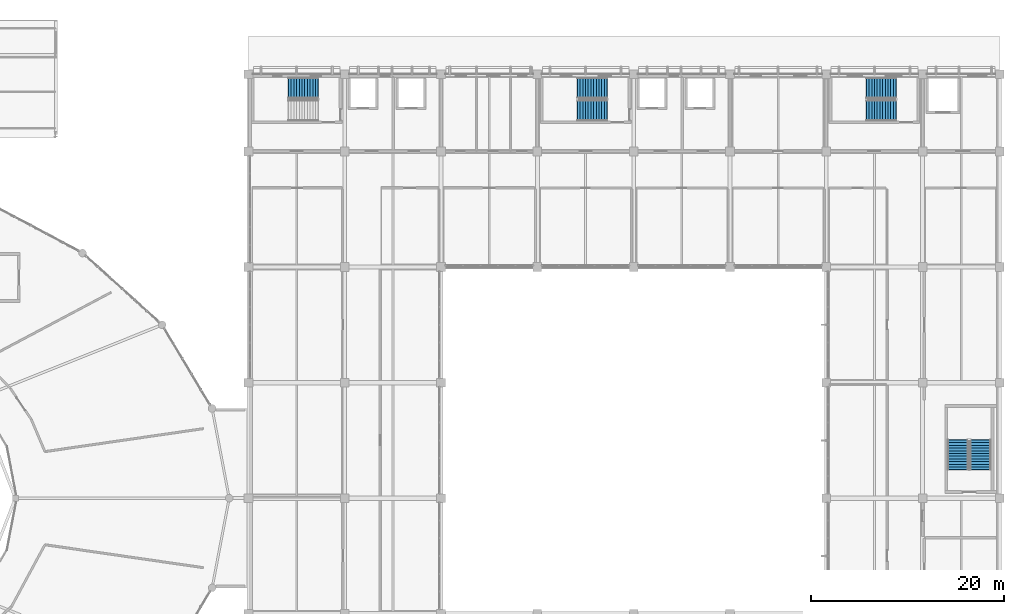
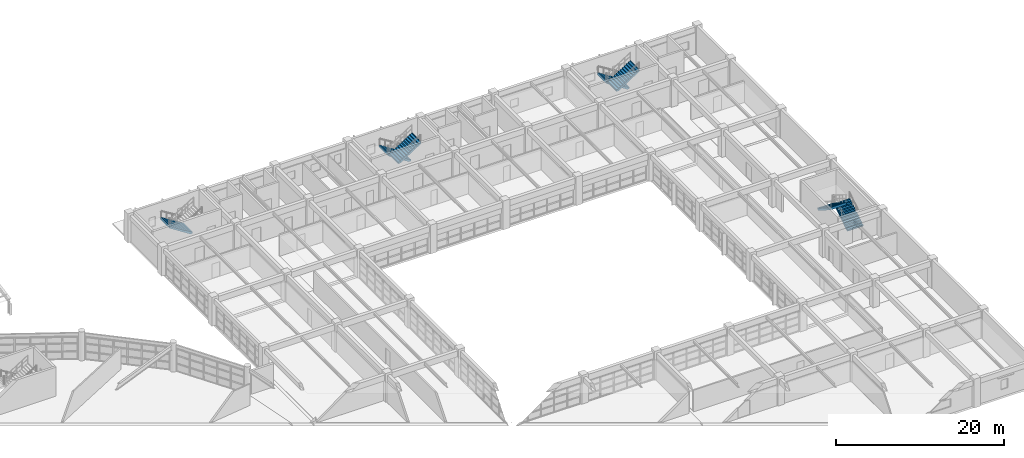
# One storey, part 86 of 100: 7 stair flights, 4 elements without a shape of their own.
"""IFC4 building model written with IfcOpenShell, lengths in metres."""

from ifc_helpers import new_model, si_unit, direction, frame, origin, place, context, subcontext, project, spatial, polyline, outline, extrude, material, type_object, element, aggregate, save


model = new_model("IFC4")

# Units and contexts
model_context = context("Model", 3, precision=1e-05, world=origin(), true_north=direction((0.0, 1.0)))
body_context = subcontext(model_context, "Body", "Model", "MODEL_VIEW")
ifc_project = project(units=[si_unit("LENGTHUNIT", "METRE"), si_unit("AREAUNIT", "SQUARE_METRE"), si_unit("VOLUMEUNIT", "CUBIC_METRE"), si_unit("PLANEANGLEUNIT", "RADIAN"), si_unit("MASSUNIT", "GRAM", prefix="KILO")], contexts=[model_context])

# Site, building, storey
site_placement = place(None, origin())
site = spatial("IfcSite", under=ifc_project, at=site_placement, CompositionType="ELEMENT")
building_placement = place(site_placement, origin())
building = spatial("IfcBuilding", under=site, at=building_placement, Name="Kivolera Central Railway Station", CompositionType="ELEMENT")
storey_placement = place(building_placement, frame((0.0, 0.0, 5.39990234375)))
storey = spatial("IfcBuildingStorey", under=building, at=storey_placement, Name="L01", CompositionType="ELEMENT", Elevation=5.39990234375)

# Stair, stair flight
ifc_material = material(Name="Concrete C40/50", Category="concrete")
stair_type = type_object("IfcStairType", Name="STR-2160-24", PredefinedType="HALF_TURN_STAIR", material=ifc_material)
stair_1_placement = place(storey_placement, origin())
stair_1 = element("IfcStair", 1, at=stair_1_placement, inside=storey, type_object=stair_type, Name="L01 Protected Exit Stair ST1", PredefinedType="HALF_TURN_STAIR")
stair_flight_type = type_object("IfcStairFlightType", Name="SFL-2160-24", PredefinedType="STRAIGHT", material=ifc_material)
stair_flight_1_placement = place(storey_placement, frame((125.239990234375, 132.60009765625, 0.0), z_axis=(0.0, 0.0, 1.0), x_axis=(-1.0, 0.0, 0.0)))
stair_flight_1 = element("IfcStairFlight", 2, at=stair_flight_1_placement, type_object=stair_flight_type, Name="ST1 flight 1", NumberOfRisers=12, NumberOfTreads=11, PredefinedType="STRAIGHT", RiserHeight=0.175, TreadLength=0.28, context=body_context, shape_type="SweptSolid", body=[
    extrude(outline(polyline([(-0.0400390625, 0.0), (0.0, 0.0), (0.0, 0.175048828125), (0.280029296875, 0.175048828125), (0.280029296875, 0.35009765625), (0.56005859375, 0.35009765625), (0.56005859375, 0.52490234375), (0.840087890625, 0.52490234375), (0.840087890625, 0.699951171875), (1.1201171875, 0.699951171875), (1.1201171875, 0.875), (1.39990234375, 0.875), (1.39990234375, 1.050048828125), (1.679931640625, 1.050048828125), (1.679931640625, 1.22509765625), (1.9599609375, 1.22509765625), (1.9599609375, 1.39990234375), (2.239990234375, 1.39990234375), (2.239990234375, 1.574951171875), (2.52001953125, 1.574951171875), (2.52001953125, 1.75), (2.800048828125, 1.75), (2.800048828125, 1.925048828125), (3.080078125, 1.925048828125), (3.080078125, 2.10009765625), (3.1201171875, 2.10009765625), (3.1201171875, 2.064697265625), (3.1201171875, 2.029541015625), (3.1201171875, 1.994384765625), (3.1201171875, 1.959228515625), (3.1201171875, 1.924072265625), (3.1201171875, 1.888916015625), (3.1201171875, 1.853759765625), (3.1201171875, 1.818603515625), (3.1201171875, 1.783447265625), (3.1201171875, 1.748291015625), (0.28271484375, -0.080078125), (-0.0400390625, -0.072021484375), (-0.0400390625, -0.06396484375), (-0.0400390625, -0.055908203125), (-0.0400390625, -0.048095703125), (-0.0400390625, -0.0400390625), (-0.0400390625, -0.031982421875), (-0.0400390625, -0.02392578125), (-0.0400390625, -0.01611328125), (-0.0400390625, -0.008056640625), (-0.0400390625, 0.0)])), frame((0.0, 1.080078125, 0.0), z_axis=(0.0, -1.0, 0.0), x_axis=(1.0, 0.0, 0.0)), (0.0, 0.0, 1.0), 2.159912109375),
])
aggregate(stair_1, [stair_flight_1])

# Stair, stair flights
stair_2_placement = place(storey_placement, origin())
stair_2 = element("IfcStair", 3, at=stair_2_placement, inside=storey, type_object=stair_type, Name="L01 Protected Exit Stair ST2", PredefinedType="HALF_TURN_STAIR")
stair_flight_2_placement = place(storey_placement, frame((155.239990234375, 132.60009765625, 0.0), z_axis=(0.0, 0.0, 1.0), x_axis=(-1.0, 0.0, 0.0)))
stair_flight_2 = element("IfcStairFlight", 4, at=stair_flight_2_placement, type_object=stair_flight_type, Name="ST2 flight 1", NumberOfRisers=12, NumberOfTreads=11, PredefinedType="STRAIGHT", RiserHeight=0.175, TreadLength=0.28, context=body_context, shape_type="SweptSolid", body=[
    extrude(outline(polyline([(-0.0400390625, 0.0), (0.0, 0.0), (0.0, 0.175048828125), (0.280029296875, 0.175048828125), (0.280029296875, 0.35009765625), (0.56005859375, 0.35009765625), (0.56005859375, 0.52490234375), (0.840087890625, 0.52490234375), (0.840087890625, 0.699951171875), (1.1201171875, 0.699951171875), (1.1201171875, 0.875), (1.39990234375, 0.875), (1.39990234375, 1.050048828125), (1.679931640625, 1.050048828125), (1.679931640625, 1.22509765625), (1.9599609375, 1.22509765625), (1.9599609375, 1.39990234375), (2.239990234375, 1.39990234375), (2.239990234375, 1.574951171875), (2.52001953125, 1.574951171875), (2.52001953125, 1.75), (2.800048828125, 1.75), (2.800048828125, 1.925048828125), (3.080078125, 1.925048828125), (3.080078125, 2.10009765625), (3.1201171875, 2.10009765625), (3.1201171875, 2.064697265625), (3.1201171875, 2.029541015625), (3.1201171875, 1.994384765625), (3.1201171875, 1.959228515625), (3.1201171875, 1.924072265625), (3.1201171875, 1.888916015625), (3.1201171875, 1.853759765625), (3.1201171875, 1.818603515625), (3.1201171875, 1.783447265625), (3.1201171875, 1.748291015625), (0.28271484375, -0.080078125), (-0.0400390625, -0.072021484375), (-0.0400390625, -0.06396484375), (-0.0400390625, -0.055908203125), (-0.0400390625, -0.048095703125), (-0.0400390625, -0.0400390625), (-0.0400390625, -0.031982421875), (-0.0400390625, -0.02392578125), (-0.0400390625, -0.01611328125), (-0.0400390625, -0.008056640625), (-0.0400390625, 0.0)])), frame((0.0, 1.080078125, 0.0), z_axis=(0.0, -1.0, 0.0), x_axis=(1.0, 0.0, 0.0)), (0.0, 0.0, 1.0), 2.159912109375),
])
stair_flight_3_placement = place(storey_placement, frame((152.159912109375, 130.260009765625, 2.10009765625), z_axis=(0.0, 0.0, 1.0), x_axis=(1.0, 0.0, 0.0)))
stair_flight_3 = element("IfcStairFlight", 5, at=stair_flight_3_placement, type_object=stair_flight_type, Name="ST2 flight 2", NumberOfRisers=12, NumberOfTreads=11, PredefinedType="STRAIGHT", RiserHeight=0.175, TreadLength=0.28, context=body_context, shape_type="SweptSolid", body=[
    extrude(outline(polyline([(-0.0400390625, 0.0), (0.0, 0.0), (0.0, 0.175048828125), (0.280029296875, 0.175048828125), (0.280029296875, 0.35009765625), (0.56005859375, 0.35009765625), (0.56005859375, 0.52490234375), (0.840087890625, 0.52490234375), (0.840087890625, 0.699951171875), (1.1201171875, 0.699951171875), (1.1201171875, 0.875), (1.39990234375, 0.875), (1.39990234375, 1.050048828125), (1.679931640625, 1.050048828125), (1.679931640625, 1.22509765625), (1.9599609375, 1.22509765625), (1.9599609375, 1.39990234375), (2.239990234375, 1.39990234375), (2.239990234375, 1.574951171875), (2.52001953125, 1.574951171875), (2.52001953125, 1.75), (2.800048828125, 1.75), (2.800048828125, 1.925048828125), (3.080078125, 1.925048828125), (3.080078125, 2.10009765625), (3.1201171875, 2.10009765625), (3.1201171875, 2.064697265625), (3.1201171875, 2.029541015625), (3.1201171875, 1.994384765625), (3.1201171875, 1.959228515625), (3.1201171875, 1.924072265625), (3.1201171875, 1.888916015625), (3.1201171875, 1.853759765625), (3.1201171875, 1.818603515625), (3.1201171875, 1.783447265625), (3.1201171875, 1.748291015625), (0.28271484375, -0.080078125), (-0.0400390625, -0.072021484375), (-0.0400390625, -0.06396484375), (-0.0400390625, -0.055908203125), (-0.0400390625, -0.048095703125), (-0.0400390625, -0.0400390625), (-0.0400390625, -0.031982421875), (-0.0400390625, -0.02392578125), (-0.0400390625, -0.01611328125), (-0.0400390625, -0.008056640625), (-0.0400390625, 0.0)])), frame((0.0, 1.080078125, 0.0), z_axis=(0.0, -1.0, 0.0), x_axis=(1.0, 0.0, 0.0)), (0.0, 0.0, 1.0), 2.159912109375),
])
aggregate(stair_2, [stair_flight_2, stair_flight_3])

stair_3_placement = place(storey_placement, origin())
stair_3 = element("IfcStair", 6, at=stair_3_placement, inside=storey, type_object=stair_type, Name="L01 Protected Exit Stair ST3", PredefinedType="HALF_TURN_STAIR")
stair_flight_4_placement = place(storey_placement, frame((185.239990234375, 132.60009765625, 0.0), z_axis=(0.0, 0.0, 1.0), x_axis=(-1.0, 0.0, 0.0)))
stair_flight_4 = element("IfcStairFlight", 7, at=stair_flight_4_placement, type_object=stair_flight_type, Name="ST3 flight 1", NumberOfRisers=12, NumberOfTreads=11, PredefinedType="STRAIGHT", RiserHeight=0.175, TreadLength=0.28, context=body_context, shape_type="SweptSolid", body=[
    extrude(outline(polyline([(-0.0400390625, 0.0), (0.0, 0.0), (0.0, 0.175048828125), (0.280029296875, 0.175048828125), (0.280029296875, 0.35009765625), (0.56005859375, 0.35009765625), (0.56005859375, 0.52490234375), (0.840087890625, 0.52490234375), (0.840087890625, 0.699951171875), (1.1201171875, 0.699951171875), (1.1201171875, 0.875), (1.39990234375, 0.875), (1.39990234375, 1.050048828125), (1.679931640625, 1.050048828125), (1.679931640625, 1.22509765625), (1.9599609375, 1.22509765625), (1.9599609375, 1.39990234375), (2.239990234375, 1.39990234375), (2.239990234375, 1.574951171875), (2.52001953125, 1.574951171875), (2.52001953125, 1.75), (2.800048828125, 1.75), (2.800048828125, 1.925048828125), (3.080078125, 1.925048828125), (3.080078125, 2.10009765625), (3.1201171875, 2.10009765625), (3.1201171875, 2.064697265625), (3.1201171875, 2.029541015625), (3.1201171875, 1.994384765625), (3.1201171875, 1.959228515625), (3.1201171875, 1.924072265625), (3.1201171875, 1.888916015625), (3.1201171875, 1.853759765625), (3.1201171875, 1.818603515625), (3.1201171875, 1.783447265625), (3.1201171875, 1.748291015625), (0.28271484375, -0.080078125), (-0.0400390625, -0.072021484375), (-0.0400390625, -0.06396484375), (-0.0400390625, -0.055908203125), (-0.0400390625, -0.048095703125), (-0.0400390625, -0.0400390625), (-0.0400390625, -0.031982421875), (-0.0400390625, -0.02392578125), (-0.0400390625, -0.01611328125), (-0.0400390625, -0.008056640625), (-0.0400390625, 0.0)])), frame((0.0, 1.080078125, 0.0), z_axis=(0.0, -1.0, 0.0), x_axis=(1.0, 0.0, 0.0)), (0.0, 0.0, 1.0), 2.159912109375),
])
stair_flight_5_placement = place(storey_placement, frame((182.159912109375, 130.260009765625, 2.10009765625), z_axis=(0.0, 0.0, 1.0), x_axis=(1.0, 0.0, 0.0)))
stair_flight_5 = element("IfcStairFlight", 8, at=stair_flight_5_placement, type_object=stair_flight_type, Name="ST3 flight 2", NumberOfRisers=12, NumberOfTreads=11, PredefinedType="STRAIGHT", RiserHeight=0.175, TreadLength=0.28, context=body_context, shape_type="SweptSolid", body=[
    extrude(outline(polyline([(-0.0400390625, 0.0), (0.0, 0.0), (0.0, 0.175048828125), (0.280029296875, 0.175048828125), (0.280029296875, 0.35009765625), (0.56005859375, 0.35009765625), (0.56005859375, 0.52490234375), (0.840087890625, 0.52490234375), (0.840087890625, 0.699951171875), (1.1201171875, 0.699951171875), (1.1201171875, 0.875), (1.39990234375, 0.875), (1.39990234375, 1.050048828125), (1.679931640625, 1.050048828125), (1.679931640625, 1.22509765625), (1.9599609375, 1.22509765625), (1.9599609375, 1.39990234375), (2.239990234375, 1.39990234375), (2.239990234375, 1.574951171875), (2.52001953125, 1.574951171875), (2.52001953125, 1.75), (2.800048828125, 1.75), (2.800048828125, 1.925048828125), (3.080078125, 1.925048828125), (3.080078125, 2.10009765625), (3.1201171875, 2.10009765625), (3.1201171875, 2.064697265625), (3.1201171875, 2.029541015625), (3.1201171875, 1.994384765625), (3.1201171875, 1.959228515625), (3.1201171875, 1.924072265625), (3.1201171875, 1.888916015625), (3.1201171875, 1.853759765625), (3.1201171875, 1.818603515625), (3.1201171875, 1.783447265625), (3.1201171875, 1.748291015625), (0.28271484375, -0.080078125), (-0.0400390625, -0.072021484375), (-0.0400390625, -0.06396484375), (-0.0400390625, -0.055908203125), (-0.0400390625, -0.048095703125), (-0.0400390625, -0.0400390625), (-0.0400390625, -0.031982421875), (-0.0400390625, -0.02392578125), (-0.0400390625, -0.01611328125), (-0.0400390625, -0.008056640625), (-0.0400390625, 0.0)])), frame((0.0, 1.080078125, 0.0), z_axis=(0.0, -1.0, 0.0), x_axis=(1.0, 0.0, 0.0)), (0.0, 0.0, 1.0), 2.159912109375),
])
aggregate(stair_3, [stair_flight_4, stair_flight_5])

stair_4_placement = place(storey_placement, origin())
stair_4 = element("IfcStair", 9, at=stair_4_placement, inside=storey, type_object=stair_type, Name="L01 Protected Exit Stair ST11", PredefinedType="HALF_TURN_STAIR")
stair_flight_6_placement = place(storey_placement, frame((194.02001953125, 92.9599609375, 0.0), z_axis=(0.0, 0.0, 1.0), x_axis=(0.0, 1.0, 0.0)))
stair_flight_6 = element("IfcStairFlight", 10, at=stair_flight_6_placement, type_object=stair_flight_type, Name="ST11 flight 1", NumberOfRisers=12, NumberOfTreads=11, PredefinedType="STRAIGHT", RiserHeight=0.175, TreadLength=0.28, context=body_context, shape_type="SweptSolid", body=[
    extrude(outline(polyline([(-0.0400390625, 0.0), (0.0, 0.0), (0.0, 0.175048828125), (0.280029296875, 0.175048828125), (0.280029296875, 0.35009765625), (0.56005859375, 0.35009765625), (0.56005859375, 0.52490234375), (0.840087890625, 0.52490234375), (0.840087890625, 0.699951171875), (1.1201171875, 0.699951171875), (1.1201171875, 0.875), (1.39990234375, 0.875), (1.39990234375, 1.050048828125), (1.679931640625, 1.050048828125), (1.679931640625, 1.22509765625), (1.9599609375, 1.22509765625), (1.9599609375, 1.39990234375), (2.239990234375, 1.39990234375), (2.239990234375, 1.574951171875), (2.52001953125, 1.574951171875), (2.52001953125, 1.75), (2.800048828125, 1.75), (2.800048828125, 1.925048828125), (3.080078125, 1.925048828125), (3.080078125, 2.10009765625), (3.1201171875, 2.10009765625), (3.1201171875, 2.064697265625), (3.1201171875, 2.029541015625), (3.1201171875, 1.994384765625), (3.1201171875, 1.959228515625), (3.1201171875, 1.924072265625), (3.1201171875, 1.888916015625), (3.1201171875, 1.853759765625), (3.1201171875, 1.818603515625), (3.1201171875, 1.783447265625), (3.1201171875, 1.748291015625), (0.28271484375, -0.080078125), (-0.0400390625, -0.072021484375), (-0.0400390625, -0.06396484375), (-0.0400390625, -0.055908203125), (-0.0400390625, -0.048095703125), (-0.0400390625, -0.0400390625), (-0.0400390625, -0.031982421875), (-0.0400390625, -0.02392578125), (-0.0400390625, -0.01611328125), (-0.0400390625, -0.008056640625), (-0.0400390625, 0.0)])), frame((0.0, 1.080078125, 0.0), z_axis=(0.0, -1.0, 0.0), x_axis=(1.0, 0.0, 0.0)), (0.0, 0.0, 1.0), 2.159912109375),
])
stair_flight_7_placement = place(storey_placement, frame((191.679931640625, 96.0400390625, 2.10009765625), z_axis=(0.0, 0.0, 1.0), x_axis=(0.0, -1.0, 0.0)))
stair_flight_7 = element("IfcStairFlight", 11, at=stair_flight_7_placement, type_object=stair_flight_type, Name="ST11 flight 2", NumberOfRisers=12, NumberOfTreads=11, PredefinedType="STRAIGHT", RiserHeight=0.175, TreadLength=0.28, context=body_context, shape_type="SweptSolid", body=[
    extrude(outline(polyline([(-0.0400390625, 0.0), (0.0, 0.0), (0.0, 0.175048828125), (0.280029296875, 0.175048828125), (0.280029296875, 0.35009765625), (0.56005859375, 0.35009765625), (0.56005859375, 0.52490234375), (0.840087890625, 0.52490234375), (0.840087890625, 0.699951171875), (1.1201171875, 0.699951171875), (1.1201171875, 0.875), (1.39990234375, 0.875), (1.39990234375, 1.050048828125), (1.679931640625, 1.050048828125), (1.679931640625, 1.22509765625), (1.9599609375, 1.22509765625), (1.9599609375, 1.39990234375), (2.239990234375, 1.39990234375), (2.239990234375, 1.574951171875), (2.52001953125, 1.574951171875), (2.52001953125, 1.75), (2.800048828125, 1.75), (2.800048828125, 1.925048828125), (3.080078125, 1.925048828125), (3.080078125, 2.10009765625), (3.1201171875, 2.10009765625), (3.1201171875, 2.064697265625), (3.1201171875, 2.029541015625), (3.1201171875, 1.994384765625), (3.1201171875, 1.959228515625), (3.1201171875, 1.924072265625), (3.1201171875, 1.888916015625), (3.1201171875, 1.853759765625), (3.1201171875, 1.818603515625), (3.1201171875, 1.783447265625), (3.1201171875, 1.748291015625), (0.28271484375, -0.080078125), (-0.0400390625, -0.072021484375), (-0.0400390625, -0.06396484375), (-0.0400390625, -0.055908203125), (-0.0400390625, -0.048095703125), (-0.0400390625, -0.0400390625), (-0.0400390625, -0.031982421875), (-0.0400390625, -0.02392578125), (-0.0400390625, -0.01611328125), (-0.0400390625, -0.008056640625), (-0.0400390625, 0.0)])), frame((0.0, 1.080078125, 0.0), z_axis=(0.0, -1.0, 0.0), x_axis=(1.0, 0.0, 0.0)), (0.0, 0.0, 1.0), 2.159912109375),
])
aggregate(stair_4, [stair_flight_6, stair_flight_7])

save(model, "model.ifc")
